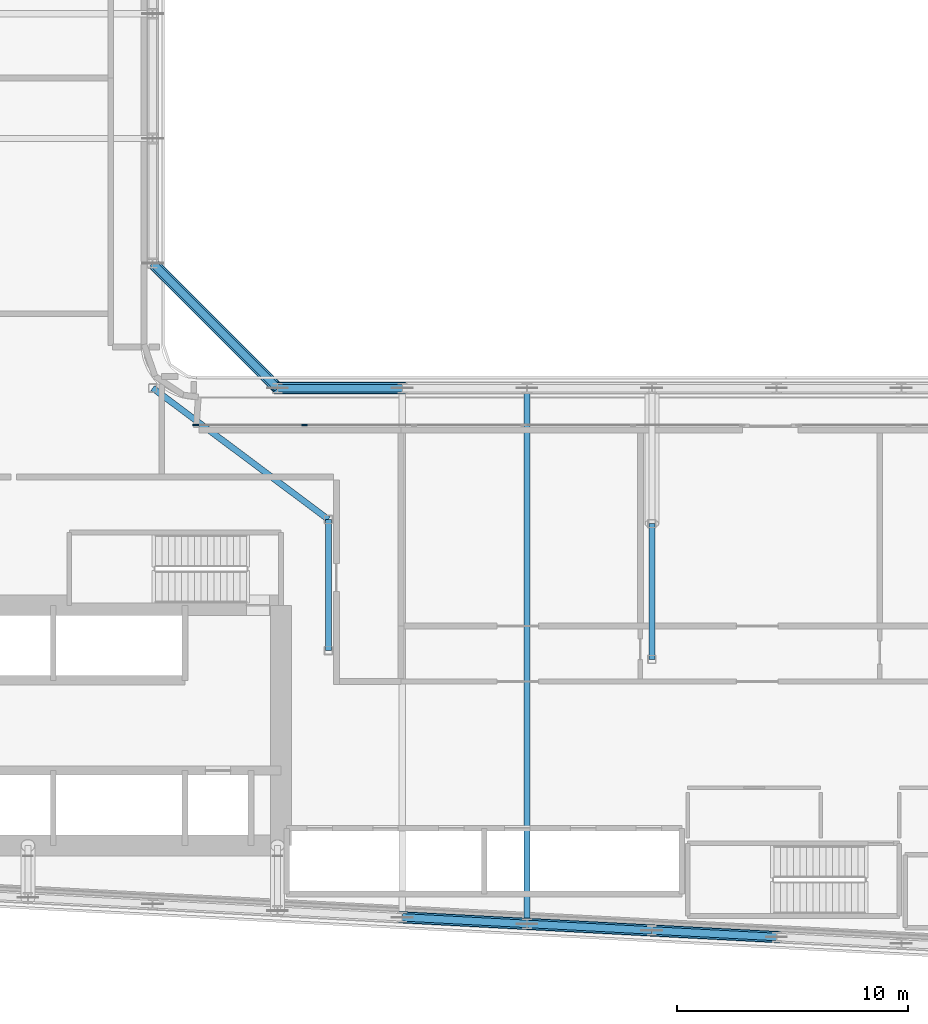
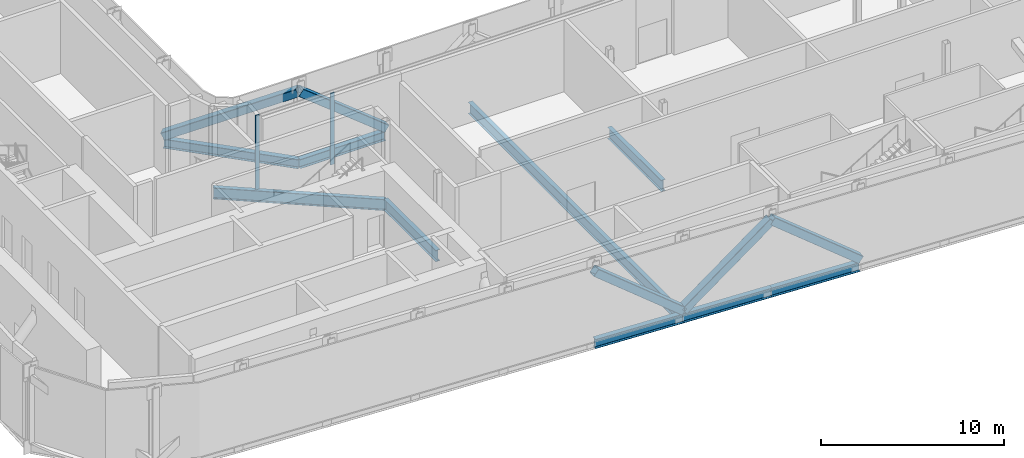
# One storey, part 5 of 30: 9 beams, 7 members, 1 element without a shape of its own.
"""IFC4 building model written with IfcOpenShell, lengths in metres."""

from ifc_helpers import new_model, si_unit, direction, frame, origin, origin_2d, place, context, subcontext, project, spatial, rectangle, hollow_rectangle, i_section, extrude, material, layer, layer_set, material_profile, profile_set, type_object, element, aggregate, save


model = new_model("IFC4")

# Units and contexts
model_context = context("Model", 3, precision=1e-05, world=origin(), true_north=direction((0.0, 1.0)))
body_context = subcontext(model_context, "Body", "Model", "MODEL_VIEW")
ifc_project = project(units=[si_unit("LENGTHUNIT", "METRE"), si_unit("AREAUNIT", "SQUARE_METRE"), si_unit("VOLUMEUNIT", "CUBIC_METRE"), si_unit("PLANEANGLEUNIT", "RADIAN"), si_unit("MASSUNIT", "GRAM", prefix="KILO")], contexts=[model_context])

# Site, building, storey
site_placement = place(None, origin())
site = spatial("IfcSite", under=ifc_project, at=site_placement, CompositionType="ELEMENT")
building_placement = place(site_placement, origin())
building = spatial("IfcBuilding", under=site, at=building_placement, Name="Kheshtan School and Residences Tower", CompositionType="ELEMENT")
storey_placement = place(building_placement, frame((0.0, 0.0, 89.0)))
storey = spatial("IfcBuildingStorey", under=building, at=storey_placement, Name="L20", CompositionType="ELEMENT", Elevation=89.0)

# Beams
ifc_material_1 = material(Name="Steel ASTM A992 Grade 50", Category="steel")
ifc_material_profile_1 = material_profile(ifc_material_1, i_section(OverallWidth=0.264892578125, OverallDepth=0.7529296875, WebThickness=0.01318359375, FlangeThickness=0.01708984375, FilletRadius=0.015380859375, at=origin_2d()), Name="W760x147")
ifc_profile_set_1 = profile_set([ifc_material_profile_1], Name="Steel ASTM A992 Grade 50")
beam_type_1 = type_object("IfcBeamType", Name="Beam FB7 W760x147 ASTM A992 Grade 50", PredefinedType="BEAM", material=ifc_profile_set_1)
beam_1_placement = place(storey_placement, frame((63.800048828125, 22.410888671875, -0.526611328125), z_axis=(0.0, 1.0, 0.0), x_axis=(-1.0, 0.0, 0.0)))
element("IfcBeam", 1, at=beam_1_placement, inside=storey, type_object=beam_type_1, Name="Floor beam C016", PredefinedType="BEAM", context=body_context, shape_type="SweptSolid", body=[
    extrude(i_section(OverallWidth=0.264892578125, OverallDepth=0.7529296875, WebThickness=0.01318359375, FlangeThickness=0.01708984375, FilletRadius=0.015380859375, at=origin_2d()), origin(), (0.0, 0.0, 1.0), 23.189208984375),
])
beam_2_placement = place(storey_placement, frame((69.199951171875, 33.863037109375, -0.526611328125), z_axis=(0.0, 1.0, 0.0), x_axis=(-1.0, 0.0, 0.0)))
element("IfcBeam", 2, at=beam_2_placement, inside=storey, type_object=beam_type_1, Name="Floor beam IC", PredefinedType="BEAM", context=body_context, shape_type="SweptSolid", body=[
    extrude(i_section(OverallWidth=0.264892578125, OverallDepth=0.7529296875, WebThickness=0.01318359375, FlangeThickness=0.01708984375, FilletRadius=0.015380859375, at=origin_2d()), origin(), (0.0, 0.0, 1.0), 5.868896484375),
])
beam_3_placement = place(storey_placement, frame((55.199951171875, 34.23193359375, -0.526611328125), z_axis=(0.0, 1.0, 0.0), x_axis=(-1.0, 0.0, 0.0)))
element("IfcBeam", 3, at=beam_3_placement, inside=storey, type_object=beam_type_1, Name="Floor beam IC", PredefinedType="BEAM", context=body_context, shape_type="SweptSolid", body=[
    extrude(i_section(OverallWidth=0.264892578125, OverallDepth=0.7529296875, WebThickness=0.01318359375, FlangeThickness=0.01708984375, FilletRadius=0.015380859375, at=origin_2d()), origin(), (0.0, 0.0, 1.0), 5.68408203125),
])
beam_4_placement = place(storey_placement, frame((47.60009765625, 45.60009765625, -0.526611328125), z_axis=(0.800798828004, -0.598933416222, 0.0), x_axis=(0.598933416222, 0.800798828004, 0.0)))
element("IfcBeam", 4, at=beam_4_placement, inside=storey, type_object=beam_type_1, Name="Floor beam IC", PredefinedType="BEAM", context=body_context, shape_type="SweptSolid", body=[
    extrude(i_section(OverallWidth=0.264892578125, OverallDepth=0.7529296875, WebThickness=0.01318359375, FlangeThickness=0.01708984375, FilletRadius=0.015380859375, at=origin_2d()), origin(), (0.0, 0.0, 1.0), 9.490234375),
])
ifc_material_profile_2 = material_profile(ifc_material_1, i_section(OverallWidth=0.324951171875, OverallDepth=0.615966796875, WebThickness=0.013916015625, FlangeThickness=0.021484375, FilletRadius=0.0185546875, at=origin_2d()), Name="W610x174")
ifc_profile_set_2 = profile_set([ifc_material_profile_2], Name="Steel ASTM A992 Grade 50")
beam_type_2 = type_object("IfcBeamType", Name="Beam SP5 W610x174 ASTM A992 Grade 50", PredefinedType="BEAM", material=ifc_profile_set_2)
beam_5_placement = place(storey_placement, frame((47.60009765625, 51.0, -0.4580078125), z_axis=(0.707106781187, -0.707106781187, 0.0), x_axis=(0.707106781187, 0.707106781187, 0.0)))
element("IfcBeam", 5, at=beam_5_placement, inside=storey, type_object=beam_type_2, Name="Spandrel beam C079-C061", PredefinedType="BEAM", context=body_context, shape_type="SweptSolid", body=[
    extrude(i_section(OverallWidth=0.324951171875, OverallDepth=0.615966796875, WebThickness=0.013916015625, FlangeThickness=0.021484375, FilletRadius=0.0185546875, at=origin_2d()), origin(), (0.0, 0.0, 1.0), 7.63671875),
])
beam_6_placement = place(storey_placement, frame((53.0, 45.60009765625, -0.4580078125), z_axis=(1.0, 0.0, 0.0), x_axis=(0.0, 1.0, 0.0)))
element("IfcBeam", 6, at=beam_6_placement, inside=storey, type_object=beam_type_2, Name="Spandrel beam C061-C062", PredefinedType="BEAM", context=body_context, shape_type="SweptSolid", body=[
    extrude(i_section(OverallWidth=0.324951171875, OverallDepth=0.615966796875, WebThickness=0.013916015625, FlangeThickness=0.021484375, FilletRadius=0.0185546875, at=origin_2d()), origin(), (0.0, 0.0, 1.0), 5.39990234375),
])
beam_7_placement = place(storey_placement, frame((74.60009765625, 21.843017578125, -0.4580078125), z_axis=(-0.998620571751, 0.05250670125, 0.0), x_axis=(-0.05250670125, -0.998620571751, 0.0)))
element("IfcBeam", 7, at=beam_7_placement, inside=storey, type_object=beam_type_2, Name="Spandrel beam C013-C014", PredefinedType="BEAM", context=body_context, shape_type="SweptSolid", body=[
    extrude(i_section(OverallWidth=0.324951171875, OverallDepth=0.615966796875, WebThickness=0.013916015625, FlangeThickness=0.021484375, FilletRadius=0.0185546875, at=origin_2d()), origin(), (0.0, 0.0, 1.0), 5.40771484375),
])
beam_8_placement = place(storey_placement, frame((69.199951171875, 22.126953125, -0.4580078125), z_axis=(-0.998620447272, 0.05250906864, 0.0), x_axis=(-0.05250906864, -0.998620447272, 0.0)))
element("IfcBeam", 8, at=beam_8_placement, inside=storey, type_object=beam_type_2, Name="Spandrel beam C014-C016", PredefinedType="BEAM", context=body_context, shape_type="SweptSolid", body=[
    extrude(i_section(OverallWidth=0.324951171875, OverallDepth=0.615966796875, WebThickness=0.013916015625, FlangeThickness=0.021484375, FilletRadius=0.0185546875, at=origin_2d()), origin(), (0.0, 0.0, 1.0), 5.407470703125),
])
beam_9_placement = place(storey_placement, frame((63.800048828125, 22.410888671875, -0.4580078125), z_axis=(-0.998618203458, 0.052551724256, 0.0), x_axis=(-0.052551724256, -0.998618203458, 0.0)))
element("IfcBeam", 9, at=beam_9_placement, inside=storey, type_object=beam_type_2, Name="Spandrel beam C016-C018", PredefinedType="BEAM", context=body_context, shape_type="SweptSolid", body=[
    extrude(i_section(OverallWidth=0.324951171875, OverallDepth=0.615966796875, WebThickness=0.013916015625, FlangeThickness=0.021484375, FilletRadius=0.0185546875, at=origin_2d()), origin(), (0.0, 0.0, 1.0), 5.40771484375),
])

# Curtain wall, members
ifc_material_2 = material(Name="Clear low-e glass in thermally broken aluminium frame", Category="aluminium")
ifc_layer = layer(ifc_material_2, 0.25)
ifc_layer_set = layer_set([ifc_layer], Name="Curtain wall CW-G")
curtain_wall_type = type_object("IfcCurtainWallType", Name="Curtain wall CW-G", PredefinedType="NOTDEFINED", material=ifc_layer_set)
curtain_wall_placement = place(storey_placement, origin())
curtain_wall = element("IfcCurtainWall", 10, at=curtain_wall_placement, inside=storey, type_object=curtain_wall_type, Name="Curtain wall CWG5b", PredefinedType="NOTDEFINED")
ifc_material_3 = material(Name="Thermally broken aluminium, dark bronze anodised", Category="aluminium")
ifc_material_profile_3 = material_profile(ifc_material_3, rectangle(XDim=0.06005859375, YDim=0.25, at=origin_2d()), Name="CW-G mullion 60x250")
ifc_profile_set_3 = profile_set([ifc_material_profile_3], Name="Thermally broken aluminium, dark bronze anodised")
member_type_1 = type_object("IfcMemberType", Name="CW-G mullion 60x250", PredefinedType="MULLION", material=ifc_profile_set_3)
member_1_placement = place(storey_placement, frame((49.4599609375, 44.0, 0.0), z_axis=(0.0, 0.0, 1.0), x_axis=(0.0, 1.0, 0.0)))
member_1 = element("IfcMember", 11, at=member_1_placement, type_object=member_type_1, Name="CWG5b mullion 1", PredefinedType="MULLION", context=body_context, shape_type="SweptSolid", body=[
    extrude(rectangle(XDim=0.06005859375, YDim=0.25, at=origin_2d()), origin(), (0.0, 0.0, 1.0), 4.949951171875),
])
member_2_placement = place(storey_placement, frame((54.169921875, 44.0, 0.0), z_axis=(0.0, 0.0, 1.0), x_axis=(0.0, 1.0, 0.0)))
member_2 = element("IfcMember", 12, at=member_2_placement, type_object=member_type_1, Name="CWG5b mullion 2", PredefinedType="MULLION", context=body_context, shape_type="SweptSolid", body=[
    extrude(rectangle(XDim=0.06005859375, YDim=0.25, at=origin_2d()), origin(), (0.0, 0.0, 1.0), 4.7900390625),
])
aggregate(curtain_wall, [member_1, member_2])

# Members
ifc_material_4 = material(Name="Steel ASTM A500 Grade C", Category="steel")
ifc_material_profile_4 = material_profile(ifc_material_4, hollow_rectangle(XDim=0.508056640625, YDim=0.508056640625, WallThickness=0.01904296875, InnerFilletRadius=0.01904296875, OuterFilletRadius=0.0380859375, at=origin_2d()), Name="HSS 508x508x19")
ifc_profile_set_4 = profile_set([ifc_material_profile_4], Name="Steel ASTM A500 Grade C")
member_type_2 = type_object("IfcMemberType", Name="Member BT2 HSS 508x508x19 ASTM A500 Grade C", PredefinedType="BRACE", material=ifc_profile_set_4)
member_3_placement = place(storey_placement, frame((47.60009765625, 51.0, 0.050048828125), z_axis=(0.616252865702, -0.616252865702, 0.490372114855), x_axis=(0.707106781187, 0.707106781187, 0.0)))
element("IfcMember", 13, at=member_3_placement, inside=storey, type_object=member_type_2, Name="Belt truss diagonal C079-C061", PredefinedType="BRACE", context=body_context, shape_type="SweptSolid", body=[
    extrude(hollow_rectangle(XDim=0.508056640625, YDim=0.508056640625, WallThickness=0.01904296875, InnerFilletRadius=0.01904296875, OuterFilletRadius=0.0380859375, at=origin_2d()), origin(), (0.0, 0.0, 1.0), 8.762451171875),
])
member_4_placement = place(storey_placement, frame((58.39990234375, 45.60009765625, 0.050048828125), z_axis=(-0.782495277586, 0.0, 0.622656518922), x_axis=(0.0, -1.0, 0.0)))
element("IfcMember", 14, at=member_4_placement, inside=storey, type_object=member_type_2, Name="Belt truss diagonal C061-C062", PredefinedType="BRACE", context=body_context, shape_type="SweptSolid", body=[
    extrude(hollow_rectangle(XDim=0.508056640625, YDim=0.508056640625, WallThickness=0.01904296875, InnerFilletRadius=0.01904296875, OuterFilletRadius=0.0380859375, at=origin_2d()), origin(), (0.0, 0.0, 1.0), 6.90087890625),
])
member_5_placement = place(storey_placement, frame((74.60009765625, 21.843017578125, 0.050048828125), z_axis=(-0.781847515022, 0.041108940728, 0.622112946534), x_axis=(-0.05250670125, -0.998620571751, 0.0)))
element("IfcMember", 15, at=member_5_placement, inside=storey, type_object=member_type_2, Name="Belt truss diagonal C013-C014", PredefinedType="BRACE", context=body_context, shape_type="SweptSolid", body=[
    extrude(hollow_rectangle(XDim=0.508056640625, YDim=0.508056640625, WallThickness=0.01904296875, InnerFilletRadius=0.01904296875, OuterFilletRadius=0.0380859375, at=origin_2d()), origin(), (0.0, 0.0, 1.0), 6.906982421875),
])
member_6_placement = place(storey_placement, frame((63.800048828125, 22.410888671875, 0.050048828125), z_axis=(0.781833774436, -0.041110076845, 0.622130139708), x_axis=(0.05250906864, 0.998620447272, 0.0)))
element("IfcMember", 16, at=member_6_placement, inside=storey, type_object=member_type_2, Name="Belt truss diagonal C014-C016", PredefinedType="BRACE", context=body_context, shape_type="SweptSolid", body=[
    extrude(hollow_rectangle(XDim=0.508056640625, YDim=0.508056640625, WallThickness=0.01904296875, InnerFilletRadius=0.01904296875, OuterFilletRadius=0.0380859375, at=origin_2d()), origin(), (0.0, 0.0, 1.0), 6.90673828125),
])
member_7_placement = place(storey_placement, frame((63.800048828125, 22.410888671875, 0.050048828125), z_axis=(-0.781846378441, 0.041144228243, 0.622112042161), x_axis=(-0.052551724256, -0.998618203458, 0.0)))
element("IfcMember", 17, at=member_7_placement, inside=storey, type_object=member_type_2, Name="Belt truss diagonal C016-C018", PredefinedType="BRACE", context=body_context, shape_type="SweptSolid", body=[
    extrude(hollow_rectangle(XDim=0.508056640625, YDim=0.508056640625, WallThickness=0.01904296875, InnerFilletRadius=0.01904296875, OuterFilletRadius=0.0380859375, at=origin_2d()), origin(), (0.0, 0.0, 1.0), 6.906982421875),
])

save(model, "model.ifc")
